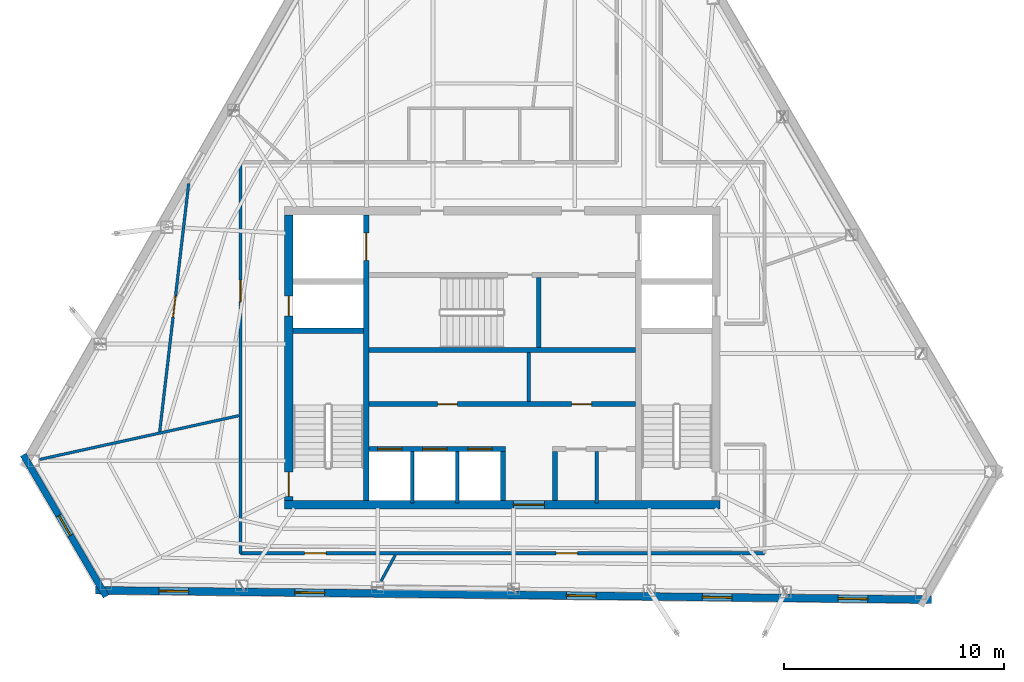
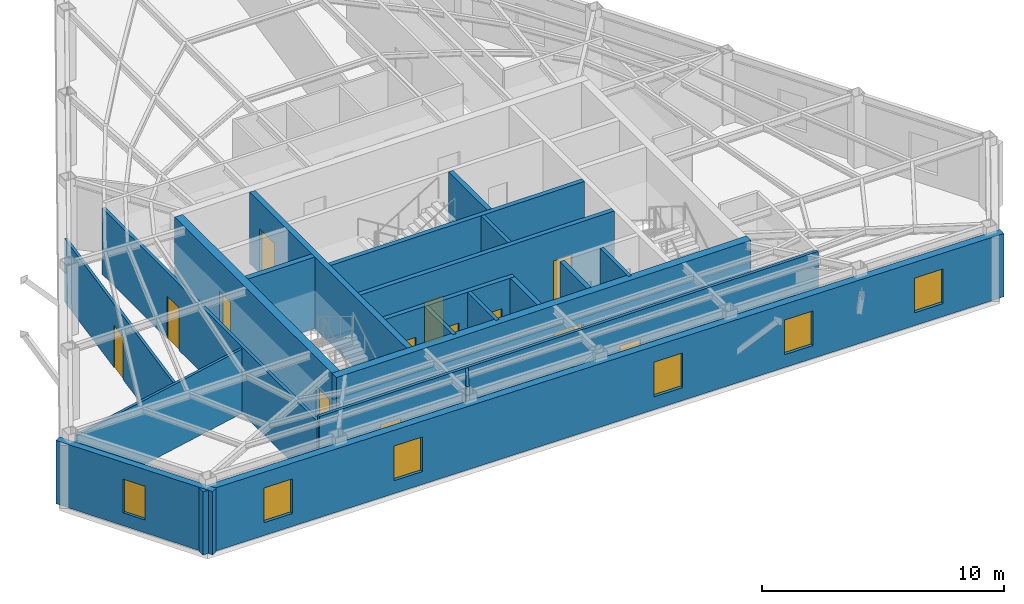
# One storey, part 8 of 11: 21 walls, 13 doors, 6 windows, 19 openings.
"""IFC4 building model written with IfcOpenShell, lengths in metres."""

from ifc_helpers import new_model, si_unit, direction, frame, frame_2d, origin, place, context, subcontext, project, spatial, rectangle, extrude, material, layer, layer_set, type_object, element, fill, save


model = new_model("IFC4")

# Units and contexts
model_context = context("Model", 3, precision=1e-05, world=origin(), true_north=direction((0.0, 1.0)))
body_context = subcontext(model_context, "Body", "Model", "MODEL_VIEW")
ifc_project = project(units=[si_unit("LENGTHUNIT", "METRE"), si_unit("AREAUNIT", "SQUARE_METRE"), si_unit("VOLUMEUNIT", "CUBIC_METRE"), si_unit("PLANEANGLEUNIT", "RADIAN"), si_unit("MASSUNIT", "GRAM", prefix="KILO")], contexts=[model_context])

# Site, building, storey
site_placement = place(None, origin())
site = spatial("IfcSite", under=ifc_project, at=site_placement, CompositionType="ELEMENT")
building_placement = place(site_placement, origin())
building = spatial("IfcBuilding", under=site, at=building_placement, Name="Kavelnor Concourse Tower", CompositionType="ELEMENT")
storey_placement = place(building_placement, frame((0.0, 0.0, 258.75)))
storey = spatial("IfcBuildingStorey", under=building, at=storey_placement, Name="L65", CompositionType="ELEMENT", Elevation=258.75)

# Wall, opening, door
ifc_material_1 = material(Name="Concrete C50/60", Category="concrete")
ifc_layer_1 = layer(ifc_material_1, 0.3798828125, Name="Concrete C50/60")
ifc_layer_set_1 = layer_set([ifc_layer_1], Name="Concrete C50/60")
wall_type_1 = type_object("IfcWallType", Name="WL-CORE-Z4-380", PredefinedType="SOLIDWALL", material=ifc_layer_set_1)
wall_1_placement = place(storey_placement, frame((28.10009765625, 9.409912109375, 0.0), z_axis=(0.0, 0.0, 1.0), x_axis=(1.0, 0.0, 0.0)))
wall_1 = element("IfcWall", 1, at=wall_1_placement, inside=storey, type_object=wall_type_1, Name="L65 Central Core South Shear Wall", PredefinedType="SOLIDWALL", context=body_context, shape_type="SweptSolid", body=[
    extrude(rectangle(XDim=19.7998046875, YDim=0.3798828125, at=frame_2d((9.89990234375, 0.0))), origin(), (0.0, 0.0, 1.0), 3.610107421875),
])
opening_1_placement = place(wall_1_placement, frame((10.39990234375, 0.0, 0.0)))
opening_1 = element("IfcOpeningElement", 2, at=opening_1_placement, cuts=wall_1, Name="Opening SD-140", PredefinedType="OPENING", context=body_context, shape_type="SweptSolid", body=[
    extrude(rectangle(XDim=1.39990234375, YDim=2.199951171875, at=frame_2d((0.699951171875, 1.10009765625))), frame((0.0, 0.199951171875, 0.0), z_axis=(0.0, -1.0, 0.0), x_axis=(1.0, 0.0, 0.0)), (0.0, 0.0, 1.0), 0.39990234375),
])
ifc_material_2 = material(Name="Solid-core hardwood timber", Category="wood")
door_type_1 = type_object("IfcDoorType", Name="DR-SUITE-ENTRY-1400", OperationType="NOTDEFINED", PredefinedType="DOOR", material=ifc_material_2)
door_1_placement = place(opening_1_placement, origin())
door_1 = element("IfcDoor", 3, at=door_1_placement, inside=storey, type_object=door_type_1, Name="L65 Passenger Lift Lobby Entry Door", OperationType="SINGLE_SWING_RIGHT", OverallHeight=2.199951171875, OverallWidth=1.39990234375, PredefinedType="DOOR", context=body_context, shape_type="SweptSolid", body=[
    extrude(rectangle(XDim=1.39990234375, YDim=2.199951171875, at=frame_2d((0.699951171875, 1.10009765625))), frame((0.0, 0.02490234375, 0.0), z_axis=(0.0, -1.0, 0.0), x_axis=(1.0, 0.0, 0.0)), (0.0, 0.0, 1.0), 0.050048828125),
])
fill(opening_1, door_1)

# Wall, openings, doors
wall_2_placement = place(storey_placement, frame((28.2900390625, 9.60009765625, 0.0), z_axis=(0.0, 0.0, 1.0), x_axis=(0.0, 1.0, 0.0)))
wall_2 = element("IfcWall", 4, at=wall_2_placement, inside=storey, type_object=wall_type_1, Name="L65 Central Core West Shear Wall", PredefinedType="SOLIDWALL", context=body_context, shape_type="SweptSolid", body=[
    extrude(rectangle(XDim=13.0, YDim=0.3798828125, at=frame_2d((6.5, 0.0))), origin(), (0.0, 0.0, 1.0), 3.610107421875),
])
opening_2_placement = place(wall_2_placement, frame((0.199951171875, 0.0, 0.0)))
opening_2 = element("IfcOpeningElement", 5, at=opening_2_placement, cuts=wall_2, Name="Opening FD-110", PredefinedType="OPENING", context=body_context, shape_type="SweptSolid", body=[
    extrude(rectangle(XDim=1.10009765625, YDim=2.14990234375, at=frame_2d((0.550048828125, 1.074951171875))), frame((0.0, 0.199951171875, 0.0), z_axis=(0.0, -1.0, 0.0), x_axis=(1.0, 0.0, 0.0)), (0.0, 0.0, 1.0), 0.39990234375),
])
opening_3_placement = place(wall_2_placement, frame((8.39990234375, 0.0, 0.0)))
opening_3 = element("IfcOpeningElement", 6, at=opening_3_placement, cuts=wall_2, Name="Opening FD-090", PredefinedType="OPENING", context=body_context, shape_type="SweptSolid", body=[
    extrude(rectangle(XDim=0.89990234375, YDim=2.10009765625, at=frame_2d((0.449951171875, 1.050048828125))), frame((0.0, 0.199951171875, 0.0), z_axis=(0.0, -1.0, 0.0), x_axis=(1.0, 0.0, 0.0)), (0.0, 0.0, 1.0), 0.39990234375),
])
ifc_material_3 = material(Name="Steel Grade 350", Category="steel")
door_type_2 = type_object("IfcDoorType", Name="DR-RISER-FIRE-900", OperationType="NOTDEFINED", PredefinedType="DOOR", material=ifc_material_3)
door_2_placement = place(opening_3_placement, origin())
door_2 = element("IfcDoor", 7, at=door_2_placement, inside=storey, type_object=door_type_2, Name="L65 West Riser Access Door", OperationType="SINGLE_SWING_RIGHT", OverallHeight=2.10009765625, OverallWidth=0.89990234375, PredefinedType="DOOR", context=body_context, shape_type="SweptSolid", body=[
    extrude(rectangle(XDim=0.89990234375, YDim=2.10009765625, at=frame_2d((0.449951171875, 1.050048828125))), frame((0.0, 0.02490234375, 0.0), z_axis=(0.0, -1.0, 0.0), x_axis=(1.0, 0.0, 0.0)), (0.0, 0.0, 1.0), 0.050048828125),
])
fill(opening_3, door_2)
door_type_3 = type_object("IfcDoorType", Name="DR-STAIR-FIRE-1100", OperationType="NOTDEFINED", PredefinedType="DOOR", material=ifc_material_3)
door_3_placement = place(opening_2_placement, origin())
door_3 = element("IfcDoor", 8, at=door_3_placement, inside=storey, type_object=door_type_3, Name="L65 Stair ST1 Fire Door", OperationType="SINGLE_SWING_LEFT", OverallHeight=2.14990234375, OverallWidth=1.10009765625, PredefinedType="DOOR", context=body_context, shape_type="SweptSolid", body=[
    extrude(rectangle(XDim=1.10009765625, YDim=2.14990234375, at=frame_2d((0.550048828125, 1.074951171875))), frame((0.0, 0.02490234375, 0.0), z_axis=(0.0, -1.0, 0.0), x_axis=(1.0, 0.0, 0.0)), (0.0, 0.0, 1.0), 0.050048828125),
])
fill(opening_2, door_3)

# Wall, opening, window
ifc_material_4 = material(Name="Buff ironspot clay face brick masonry", Category="masonry")
ifc_layer_2 = layer(ifc_material_4, 0.300048828125, Name="Buff ironspot clay face brick masonry")
ifc_layer_set_2 = layer_set([ifc_layer_2], Name="Buff ironspot clay face brick masonry")
wall_type_2 = type_object("IfcWallType", Name="WL-EXT-BUFF-BRICK-FOLD-300", PredefinedType="STANDARD", material=ifc_layer_set_2)
wall_3_placement = place(storey_placement, frame((19.97900390625, 5.248291015625, 0.0), z_axis=(0.0, 0.0, 1.0), x_axis=(-0.50480008765, 0.863236277915, 0.0)))
wall_3 = element("IfcWall", 9, at=wall_3_placement, inside=storey, type_object=wall_type_2, Name="L65 Exterior Brick Facade Wall E2", PredefinedType="STANDARD", context=body_context, shape_type="SweptSolid", body=[
    extrude(rectangle(XDim=7.46435546875, YDim=0.300048828125, at=frame_2d((3.732177734375, 0.0))), origin(), (0.0, 0.0, 1.0), 3.196044921875),
])
opening_4_placement = place(wall_3_placement, frame((3.20703125, 0.0, 0.64990234375)))
opening_4 = element("IfcOpeningElement", 10, at=opening_4_placement, cuts=wall_3, Name="Opening W-06", PredefinedType="OPENING", context=body_context, shape_type="SweptSolid", body=[
    extrude(rectangle(XDim=1.050048828125, YDim=1.699951171875, at=frame_2d((0.52490234375, 0.85009765625))), frame((0.0, 0.16015625, 0.0), z_axis=(0.0, -1.0, 0.0), x_axis=(1.0, 0.0, 0.0)), (0.0, 0.0, 1.0), 0.320068359375),
])
ifc_material_5 = material(Name="Double low-E argon insulated glazing", Category="glass")
window_type_1 = type_object("IfcWindowType", Name="WIN-FOLD-1050", PartitioningType="SINGLE_PANEL", PredefinedType="WINDOW", material=ifc_material_5)
window_1_placement = place(opening_4_placement, origin())
window_1 = element("IfcWindow", 11, at=window_1_placement, inside=storey, type_object=window_type_1, Name="L65 Chamfer-Fold Facet Window C1", OverallHeight=1.699951171875, OverallWidth=1.050048828125, PartitioningType="SINGLE_PANEL", PredefinedType="WINDOW", context=body_context, shape_type="SweptSolid", body=[
    extrude(rectangle(XDim=1.050048828125, YDim=1.699951171875, at=frame_2d((0.52490234375, 0.85009765625))), frame((0.0, 0.030029296875, 0.0), z_axis=(0.0, -1.0, 0.0), x_axis=(1.0, 0.0, 0.0)), (0.0, 0.0, 1.0), 0.06005859375),
])
fill(opening_4, window_1)

# Wall, openings, windows
ifc_material_6 = material(Name="Red-ochre clay face brick masonry", Category="masonry")
ifc_layer_3 = layer(ifc_material_6, 0.35009765625, Name="Red-ochre clay face brick masonry")
ifc_layer_set_3 = layer_set([ifc_layer_3], Name="Red-ochre clay face brick masonry")
wall_type_3 = type_object("IfcWallType", Name="WL-EXT-RED-BRICK-PIER-350", PredefinedType="STANDARD", material=ifc_layer_set_3)
wall_4_placement = place(storey_placement, frame((57.506103515625, 5.1015625, 0.0), z_axis=(0.0, 0.0, 1.0), x_axis=(-0.999937327785, 0.011195557226, 0.0)))
wall_4 = element("IfcWall", 12, at=wall_4_placement, inside=storey, type_object=wall_type_3, Name="L65 Exterior Brick Facade Wall E3", PredefinedType="STANDARD", context=body_context, shape_type="SweptSolid", body=[
    extrude(rectangle(XDim=38.009521484375, YDim=0.35009765625, at=frame_2d((19.0048828125, 0.0))), origin(), (0.0, 0.0, 1.0), 3.196044921875),
])
opening_5_placement = place(wall_4_placement, frame((33.774658203125, 0.0, 0.64990234375)))
opening_5 = element("IfcOpeningElement", 13, at=opening_5_placement, cuts=wall_4, Name="Opening W-04", PredefinedType="OPENING", context=body_context, shape_type="SweptSolid", body=[
    extrude(rectangle(XDim=1.35009765625, YDim=1.75, at=frame_2d((0.675048828125, 0.875))), frame((0.0, 0.18505859375, 0.0), z_axis=(0.0, -1.0, 0.0), x_axis=(1.0, 0.0, 0.0)), (0.0, 0.0, 1.0), 0.3701171875),
])
opening_6_placement = place(wall_4_placement, frame((27.598876953125, 0.0, 0.64990234375)))
opening_6 = element("IfcOpeningElement", 14, at=opening_6_placement, cuts=wall_4, Name="Opening W-04", PredefinedType="OPENING", context=body_context, shape_type="SweptSolid", body=[
    extrude(rectangle(XDim=1.35009765625, YDim=1.75, at=frame_2d((0.675048828125, 0.875))), frame((0.0, 0.18505859375, 0.0), z_axis=(0.0, -1.0, 0.0), x_axis=(1.0, 0.0, 0.0)), (0.0, 0.0, 1.0), 0.3701171875),
])
opening_7_placement = place(wall_4_placement, frame((15.247314453125, 0.0, 0.64990234375)))
opening_7 = element("IfcOpeningElement", 15, at=opening_7_placement, cuts=wall_4, Name="Opening W-04", PredefinedType="OPENING", context=body_context, shape_type="SweptSolid", body=[
    extrude(rectangle(XDim=1.35009765625, YDim=1.75, at=frame_2d((0.675048828125, 0.875))), frame((0.0, 0.18505859375, 0.0), z_axis=(0.0, -1.0, 0.0), x_axis=(1.0, 0.0, 0.0)), (0.0, 0.0, 1.0), 0.3701171875),
])
opening_8_placement = place(wall_4_placement, frame((9.0712890625, 0.0, 0.64990234375)))
opening_8 = element("IfcOpeningElement", 16, at=opening_8_placement, cuts=wall_4, Name="Opening W-04", PredefinedType="OPENING", context=body_context, shape_type="SweptSolid", body=[
    extrude(rectangle(XDim=1.35009765625, YDim=1.75, at=frame_2d((0.675048828125, 0.875))), frame((0.0, 0.18505859375, 0.0), z_axis=(0.0, -1.0, 0.0), x_axis=(1.0, 0.0, 0.0)), (0.0, 0.0, 1.0), 0.3701171875),
])
opening_9_placement = place(wall_4_placement, frame((2.8955078125, 0.0, 0.64990234375)))
opening_9 = element("IfcOpeningElement", 17, at=opening_9_placement, cuts=wall_4, Name="Opening W-04", PredefinedType="OPENING", context=body_context, shape_type="SweptSolid", body=[
    extrude(rectangle(XDim=1.35009765625, YDim=1.75, at=frame_2d((0.675048828125, 0.875))), frame((0.0, 0.18505859375, 0.0), z_axis=(0.0, -1.0, 0.0), x_axis=(1.0, 0.0, 0.0)), (0.0, 0.0, 1.0), 0.3701171875),
])
window_type_2 = type_object("IfcWindowType", Name="WIN-PIER-Z4-1350", PartitioningType="SINGLE_PANEL", PredefinedType="WINDOW", material=ifc_material_5)
window_2_placement = place(opening_5_placement, origin())
window_2 = element("IfcWindow", 18, at=window_2_placement, inside=storey, type_object=window_type_2, Name="L65 Deep-Set Brick Pier Window F1-B0", OverallHeight=1.75, OverallWidth=1.35009765625, PartitioningType="SINGLE_PANEL", PredefinedType="WINDOW", context=body_context, shape_type="SweptSolid", body=[
    extrude(rectangle(XDim=1.35009765625, YDim=1.75, at=frame_2d((0.675048828125, 0.875))), frame((0.0, 0.030029296875, 0.0), z_axis=(0.0, -1.0, 0.0), x_axis=(1.0, 0.0, 0.0)), (0.0, 0.0, 1.0), 0.06005859375),
])
fill(opening_5, window_2)
window_3_placement = place(opening_6_placement, origin())
window_3 = element("IfcWindow", 19, at=window_3_placement, inside=storey, type_object=window_type_2, Name="L65 Deep-Set Brick Pier Window F1-B1", OverallHeight=1.75, OverallWidth=1.35009765625, PartitioningType="SINGLE_PANEL", PredefinedType="WINDOW", context=body_context, shape_type="SweptSolid", body=[
    extrude(rectangle(XDim=1.35009765625, YDim=1.75, at=frame_2d((0.675048828125, 0.875))), frame((0.0, 0.030029296875, 0.0), z_axis=(0.0, -1.0, 0.0), x_axis=(1.0, 0.0, 0.0)), (0.0, 0.0, 1.0), 0.06005859375),
])
fill(opening_6, window_3)
window_4_placement = place(opening_7_placement, origin())
window_4 = element("IfcWindow", 20, at=window_4_placement, inside=storey, type_object=window_type_2, Name="L65 Deep-Set Brick Pier Window F1-B3", OverallHeight=1.75, OverallWidth=1.35009765625, PartitioningType="SINGLE_PANEL", PredefinedType="WINDOW", context=body_context, shape_type="SweptSolid", body=[
    extrude(rectangle(XDim=1.35009765625, YDim=1.75, at=frame_2d((0.675048828125, 0.875))), frame((0.0, 0.030029296875, 0.0), z_axis=(0.0, -1.0, 0.0), x_axis=(1.0, 0.0, 0.0)), (0.0, 0.0, 1.0), 0.06005859375),
])
fill(opening_7, window_4)
window_5_placement = place(opening_8_placement, origin())
window_5 = element("IfcWindow", 21, at=window_5_placement, inside=storey, type_object=window_type_2, Name="L65 Deep-Set Brick Pier Window F1-B4", OverallHeight=1.75, OverallWidth=1.35009765625, PartitioningType="SINGLE_PANEL", PredefinedType="WINDOW", context=body_context, shape_type="SweptSolid", body=[
    extrude(rectangle(XDim=1.35009765625, YDim=1.75, at=frame_2d((0.675048828125, 0.875))), frame((0.0, 0.030029296875, 0.0), z_axis=(0.0, -1.0, 0.0), x_axis=(1.0, 0.0, 0.0)), (0.0, 0.0, 1.0), 0.06005859375),
])
fill(opening_8, window_5)
window_6_placement = place(opening_9_placement, origin())
window_6 = element("IfcWindow", 22, at=window_6_placement, inside=storey, type_object=window_type_2, Name="L65 Deep-Set Brick Pier Window F1-B5", OverallHeight=1.75, OverallWidth=1.35009765625, PartitioningType="SINGLE_PANEL", PredefinedType="WINDOW", context=body_context, shape_type="SweptSolid", body=[
    extrude(rectangle(XDim=1.35009765625, YDim=1.75, at=frame_2d((0.675048828125, 0.875))), frame((0.0, 0.030029296875, 0.0), z_axis=(0.0, -1.0, 0.0), x_axis=(1.0, 0.0, 0.0)), (0.0, 0.0, 1.0), 0.06005859375),
])
fill(opening_9, window_6)

# Wall, openings, doors
ifc_material_7 = material(Name="Gypsum plasterboard on light-gauge steel studs", Category="steel")
ifc_layer_4 = layer(ifc_material_7, 0.14501953125, Name="Gypsum plasterboard on light-gauge steel studs")
ifc_layer_set_4 = layer_set([ifc_layer_4], Name="Gypsum plasterboard on light-gauge steel studs")
wall_type_4 = type_object("IfcWallType", Name="WL-INT-CORR-145", PredefinedType="PARTITIONING", material=ifc_layer_set_4)
wall_5_placement = place(storey_placement, frame((49.909912109375, 7.2099609375, 0.0), z_axis=(0.0, 0.0, 1.0), x_axis=(-1.0, 0.0, 0.0)))
wall_5 = element("IfcWall", 23, at=wall_5_placement, inside=storey, type_object=wall_type_4, Name="L65 Corridor Wall WL-L65-CR-09", PredefinedType="PARTITIONING", context=body_context, shape_type="SweptSolid", body=[
    extrude(rectangle(XDim=23.81982421875, YDim=0.14501953125, at=frame_2d((11.909912109375, 0.0))), origin(), (0.0, 0.0, 1.0), 3.610107421875),
])
opening_10_placement = place(wall_5_placement, frame((19.927734375, 0.0, 0.0)))
opening_10 = element("IfcOpeningElement", 24, at=opening_10_placement, cuts=wall_5, Name="Opening OD-098", PredefinedType="OPENING", context=body_context, shape_type="SweptSolid", body=[
    extrude(rectangle(XDim=0.97998046875, YDim=2.14990234375, at=frame_2d((0.489990234375, 1.074951171875))), frame((0.0, 0.08251953125, 0.0), z_axis=(0.0, -1.0, 0.0), x_axis=(1.0, 0.0, 0.0)), (0.0, 0.0, 1.0), 0.1650390625),
])
opening_11_placement = place(wall_5_placement, frame((8.487060546875, 0.0, 0.0)))
opening_11 = element("IfcOpeningElement", 25, at=opening_11_placement, cuts=wall_5, Name="Opening OD-098", PredefinedType="OPENING", context=body_context, shape_type="SweptSolid", body=[
    extrude(rectangle(XDim=0.97998046875, YDim=2.14990234375, at=frame_2d((0.489990234375, 1.074951171875))), frame((0.0, 0.08251953125, 0.0), z_axis=(0.0, -1.0, 0.0), x_axis=(1.0, 0.0, 0.0)), (0.0, 0.0, 1.0), 0.1650390625),
])
door_type_4 = type_object("IfcDoorType", Name="DR-OFFICE-980", OperationType="NOTDEFINED", PredefinedType="DOOR", material=ifc_material_2)
door_4_placement = place(opening_10_placement, origin())
door_4 = element("IfcDoor", 26, at=door_4_placement, inside=storey, type_object=door_type_4, Name="L65 Staff Breakout Pantry 05 Door", OperationType="SINGLE_SWING_LEFT", OverallHeight=2.14990234375, OverallWidth=0.97998046875, PredefinedType="DOOR", context=body_context, shape_type="SweptSolid", body=[
    extrude(rectangle(XDim=0.97998046875, YDim=2.14990234375, at=frame_2d((0.489990234375, 1.074951171875))), frame((0.0, 0.02490234375, 0.0), z_axis=(0.0, -1.0, 0.0), x_axis=(1.0, 0.0, 0.0)), (0.0, 0.0, 1.0), 0.050048828125),
])
fill(opening_10, door_4)
door_5_placement = place(opening_11_placement, origin())
door_5 = element("IfcDoor", 27, at=door_5_placement, inside=storey, type_object=door_type_4, Name="L65 Staff Breakout Pantry 06 Door", OperationType="SINGLE_SWING_RIGHT", OverallHeight=2.14990234375, OverallWidth=0.97998046875, PredefinedType="DOOR", context=body_context, shape_type="SweptSolid", body=[
    extrude(rectangle(XDim=0.97998046875, YDim=2.14990234375, at=frame_2d((0.489990234375, 1.074951171875))), frame((0.0, 0.02490234375, 0.0), z_axis=(0.0, -1.0, 0.0), x_axis=(1.0, 0.0, 0.0)), (0.0, 0.0, 1.0), 0.050048828125),
])
fill(opening_11, door_5)

# Wall, opening, door
wall_6_placement = place(storey_placement, frame((26.090087890625, 7.2099609375, 0.0), z_axis=(0.0, 0.0, 1.0), x_axis=(0.0, 1.0, 0.0)))
wall_6 = element("IfcWall", 28, at=wall_6_placement, inside=storey, type_object=wall_type_4, Name="L65 Corridor Wall WL-L65-CR-10", PredefinedType="PARTITIONING", context=body_context, shape_type="SweptSolid", body=[
    extrude(rectangle(XDim=17.780029296875, YDim=0.14501953125, at=frame_2d((8.89013671875, 0.0))), origin(), (0.0, 0.0, 1.0), 3.34912109375),
])
opening_12_placement = place(wall_6_placement, frame((11.442626953125, 0.0, 0.0)))
opening_12 = element("IfcOpeningElement", 29, at=opening_12_placement, cuts=wall_6, Name="Opening OD-098", PredefinedType="OPENING", context=body_context, shape_type="SweptSolid", body=[
    extrude(rectangle(XDim=0.97998046875, YDim=2.14990234375, at=frame_2d((0.489990234375, 1.074951171875))), frame((0.0, 0.08251953125, 0.0), z_axis=(0.0, -1.0, 0.0), x_axis=(1.0, 0.0, 0.0)), (0.0, 0.0, 1.0), 0.1650390625),
])
door_6_placement = place(opening_12_placement, origin())
door_6 = element("IfcDoor", 30, at=door_6_placement, inside=storey, type_object=door_type_4, Name="L65 Technical Reference Library 03 Door", OperationType="SINGLE_SWING_LEFT", OverallHeight=2.14990234375, OverallWidth=0.97998046875, PredefinedType="DOOR", context=body_context, shape_type="SweptSolid", body=[
    extrude(rectangle(XDim=0.97998046875, YDim=2.14990234375, at=frame_2d((0.489990234375, 1.074951171875))), frame((0.0, 0.02490234375, 0.0), z_axis=(0.0, -1.0, 0.0), x_axis=(1.0, 0.0, 0.0)), (0.0, 0.0, 1.0), 0.050048828125),
])
fill(opening_12, door_6)

# Walls
ifc_layer_5 = layer(ifc_material_7, 0.1650390625, Name="Gypsum plasterboard on light-gauge steel studs")
ifc_layer_set_5 = layer_set([ifc_layer_5], Name="Gypsum plasterboard on light-gauge steel studs")
wall_type_5 = type_object("IfcWallType", Name="WL-INT-FIRE-165", PredefinedType="PARTITIONING", material=ifc_layer_set_5)
for number, where, z_axis, x_axis, name in (
    (31, (33.89990234375, 9.489990234375, 0.0), (0.0, 0.0, 1.0), (0.0, 1.0, 0.0), "L65 Lift Shaft Divider LP7"),
    (32, (35.949951171875, 9.489990234375, 0.0), (0.0, 0.0, 1.0), (0.0, 1.0, 0.0), "L65 Lift Shaft Divider LP8"),
):
    element("IfcWall", number, at=place(storey_placement, frame(where, z_axis=z_axis, x_axis=x_axis)), inside=storey, type_object=wall_type_5, Name=name, PredefinedType="PARTITIONING", context=body_context, shape_type="SweptSolid", body=[
        extrude(rectangle(XDim=2.35009765625, YDim=0.1650390625, at=frame_2d((1.175048828125, 0.0))), origin(), (0.0, 0.0, 1.0), 3.610107421875),
    ])
wall_7_placement = place(storey_placement, frame((39.199951171875, 14.10009765625, 0.0), z_axis=(0.0, 0.0, 1.0), x_axis=(0.0, 1.0, 0.0)))
element("IfcWall", 33, at=wall_7_placement, inside=storey, type_object=wall_type_5, Name="L65 Reclaimed Core Partition C", PredefinedType="PARTITIONING", context=body_context, shape_type="SweptSolid", body=[
    extrude(rectangle(XDim=2.239990234375, YDim=0.1650390625, at=frame_2d((1.1201171875, 0.0))), origin(), (0.0, 0.0, 1.0), 3.610107421875),
])
wall_8_placement = place(storey_placement, frame((42.280029296875, 9.489990234375, 0.0), z_axis=(0.0, 0.0, 1.0), x_axis=(0.0, 1.0, 0.0)))
element("IfcWall", 34, at=wall_8_placement, inside=storey, type_object=wall_type_5, Name="L65 Core Support Divider", PredefinedType="PARTITIONING", context=body_context, shape_type="SweptSolid", body=[
    extrude(rectangle(XDim=2.35009765625, YDim=0.1650390625, at=frame_2d((1.175048828125, 0.0))), origin(), (0.0, 0.0, 1.0), 3.610107421875),
])
ifc_layer_6 = layer(ifc_material_7, 0.125, Name="Gypsum plasterboard on light-gauge steel studs")
ifc_layer_set_6 = layer_set([ifc_layer_6], Name="Gypsum plasterboard on light-gauge steel studs")
wall_type_6 = type_object("IfcWallType", Name="WL-INT-SUITE-125", PredefinedType="PARTITIONING", material=ifc_layer_set_6)
wall_9_placement = place(storey_placement, frame((26.009521484375, 13.465087890625, 0.0), z_axis=(0.0, 0.0, 1.0), x_axis=(-0.976700346334, -0.214607626778, 0.0)))
element("IfcWall", 35, at=wall_9_placement, inside=storey, type_object=wall_type_6, Name="L65 Radial Suite Partition 04", PredefinedType="PARTITIONING", context=body_context, shape_type="SweptSolid", body=[
    extrude(rectangle(XDim=9.272705078125, YDim=0.125, at=frame_2d((4.63623046875, 0.0))), origin(), (0.0, 0.0, 1.0), 3.24609375),
])
wall_10_placement = place(storey_placement, frame((33.126708984375, 7.12939453125, 0.0), z_axis=(0.0, 0.0, 1.0), x_axis=(-0.47743452788, -0.878667327029, 0.0)))
element("IfcWall", 36, at=wall_10_placement, inside=storey, type_object=wall_type_6, Name="L65 Radial Suite Partition 05", PredefinedType="PARTITIONING", context=body_context, shape_type="SweptSolid", body=[
    extrude(rectangle(XDim=1.35205078125, YDim=0.125, at=frame_2d((0.676025390625, 0.0))), origin(), (0.0, 0.0, 1.0), 3.610107421875),
])

# Wall, opening, door
wall_11_placement = place(storey_placement, frame((23.73291015625, 24.027099609375, 0.0), z_axis=(0.0, 0.0, 1.0), x_axis=(-0.116028401935, -0.993245896012, 0.0)))
wall_11 = element("IfcWall", 37, at=wall_11_placement, inside=storey, type_object=wall_type_6, Name="L65 Suite Subdivision Partition 03", PredefinedType="PARTITIONING", context=body_context, shape_type="SweptSolid", body=[
    extrude(rectangle(XDim=11.4150390625, YDim=0.125, at=frame_2d((5.70751953125, 0.0))), origin(), (0.0, 0.0, 1.0), 3.198974609375),
])
opening_13_placement = place(wall_11_placement, frame((5.1416015625, 0.0, 0.0)))
opening_13 = element("IfcOpeningElement", 38, at=opening_13_placement, cuts=wall_11, Name="Opening OD-098", PredefinedType="OPENING", context=body_context, shape_type="SweptSolid", body=[
    extrude(rectangle(XDim=0.97998046875, YDim=2.14990234375, at=frame_2d((0.489990234375, 1.074951171875))), frame((0.0, 0.072509765625, 0.0), z_axis=(0.0, -1.0, 0.0), x_axis=(1.0, 0.0, 0.0)), (0.0, 0.0, 1.0), 0.14501953125),
])
door_7_placement = place(opening_13_placement, origin())
door_7 = element("IfcDoor", 39, at=door_7_placement, inside=storey, type_object=door_type_4, Name="L65 Staff Breakout Pantry 04 Door", OperationType="SINGLE_SWING_RIGHT", OverallHeight=2.14990234375, OverallWidth=0.97998046875, PredefinedType="DOOR", context=body_context, shape_type="SweptSolid", body=[
    extrude(rectangle(XDim=0.97998046875, YDim=2.14990234375, at=frame_2d((0.489990234375, 1.074951171875))), frame((0.0, 0.02490234375, 0.0), z_axis=(0.0, -1.0, 0.0), x_axis=(1.0, 0.0, 0.0)), (0.0, 0.0, 1.0), 0.050048828125),
])
fill(opening_13, door_7)

# Walls
ifc_layer_7 = layer(ifc_material_1, 0.219970703125, Name="Concrete C50/60")
ifc_layer_set_7 = layer_set([ifc_layer_7], Name="Concrete C50/60")
wall_type_7 = type_object("IfcWallType", Name="WL-SHAFT-220", PredefinedType="SOLIDWALL", material=ifc_layer_set_7)
wall_12_placement = place(storey_placement, frame((31.93994140625, 16.449951171875, 0.0), z_axis=(0.0, 0.0, 1.0), x_axis=(1.0, 0.0, 0.0)))
element("IfcWall", 40, at=wall_12_placement, inside=storey, type_object=wall_type_7, Name="L65 Stair ST3 South Core Wall", PredefinedType="SOLIDWALL", context=body_context, shape_type="SweptSolid", body=[
    extrude(rectangle(XDim=12.1201171875, YDim=0.219970703125, at=frame_2d((6.06005859375, 0.0))), origin(), (0.0, 0.0, 1.0), 3.610107421875),
])
wall_13_placement = place(storey_placement, frame((39.64990234375, 16.56005859375, 0.0), z_axis=(0.0, 0.0, 1.0), x_axis=(0.0, 1.0, 0.0)))
element("IfcWall", 41, at=wall_13_placement, inside=storey, type_object=wall_type_7, Name="L65 Stair ST3 East Core Wall", PredefinedType="SOLIDWALL", context=body_context, shape_type="SweptSolid", body=[
    extrude(rectangle(XDim=3.199951171875, YDim=0.219970703125, at=frame_2d((1.60009765625, 0.0))), origin(), (0.0, 0.0, 1.0), 3.610107421875),
])

# Wall, openings, doors
wall_14_placement = place(storey_placement, frame((31.93994140625, 13.989990234375, 0.0), z_axis=(0.0, 0.0, 1.0), x_axis=(1.0, 0.0, 0.0)))
wall_14 = element("IfcWall", 42, at=wall_14_placement, inside=storey, type_object=wall_type_7, Name="L65 North Lift Row Shaft Wall", PredefinedType="SOLIDWALL", context=body_context, shape_type="SweptSolid", body=[
    extrude(rectangle(XDim=12.1201171875, YDim=0.219970703125, at=frame_2d((6.06005859375, 0.0))), origin(), (0.0, 0.0, 1.0), 3.610107421875),
])
opening_14_placement = place(wall_14_placement, frame((3.110107421875, 0.0, 0.0)))
opening_14 = element("IfcOpeningElement", 43, at=opening_14_placement, cuts=wall_14, Name="Opening FD-090", PredefinedType="OPENING", context=body_context, shape_type="SweptSolid", body=[
    extrude(rectangle(XDim=0.89990234375, YDim=2.10009765625, at=frame_2d((0.449951171875, 1.050048828125))), frame((0.0, 0.1201171875, 0.0), z_axis=(0.0, -1.0, 0.0), x_axis=(1.0, 0.0, 0.0)), (0.0, 0.0, 1.0), 0.239990234375),
])
opening_15_placement = place(wall_14_placement, frame((9.2099609375, 0.0, 0.0)))
opening_15 = element("IfcOpeningElement", 44, at=opening_15_placement, cuts=wall_14, Name="Opening FD-090", PredefinedType="OPENING", context=body_context, shape_type="SweptSolid", body=[
    extrude(rectangle(XDim=0.89990234375, YDim=2.10009765625, at=frame_2d((0.449951171875, 1.050048828125))), frame((0.0, 0.1201171875, 0.0), z_axis=(0.0, -1.0, 0.0), x_axis=(1.0, 0.0, 0.0)), (0.0, 0.0, 1.0), 0.239990234375),
])
door_8_placement = place(opening_14_placement, origin())
door_8 = element("IfcDoor", 45, at=door_8_placement, inside=storey, type_object=door_type_2, Name="L65 Lounge Pantry Door", OperationType="SINGLE_SWING_LEFT", OverallHeight=2.10009765625, OverallWidth=0.89990234375, PredefinedType="DOOR", context=body_context, shape_type="SweptSolid", body=[
    extrude(rectangle(XDim=0.89990234375, YDim=2.10009765625, at=frame_2d((0.449951171875, 1.050048828125))), frame((0.0, 0.02490234375, 0.0), z_axis=(0.0, -1.0, 0.0), x_axis=(1.0, 0.0, 0.0)), (0.0, 0.0, 1.0), 0.050048828125),
])
fill(opening_14, door_8)
door_9_placement = place(opening_15_placement, origin())
door_9 = element("IfcDoor", 46, at=door_9_placement, inside=storey, type_object=door_type_2, Name="L65 Facilities Store Door", OperationType="SINGLE_SWING_RIGHT", OverallHeight=2.10009765625, OverallWidth=0.89990234375, PredefinedType="DOOR", context=body_context, shape_type="SweptSolid", body=[
    extrude(rectangle(XDim=0.89990234375, YDim=2.10009765625, at=frame_2d((0.449951171875, 1.050048828125))), frame((0.0, 0.02490234375, 0.0), z_axis=(0.0, -1.0, 0.0), x_axis=(1.0, 0.0, 0.0)), (0.0, 0.0, 1.0), 0.050048828125),
])
fill(opening_15, door_9)

wall_15_placement = place(storey_placement, frame((31.93994140625, 11.949951171875, 0.0), z_axis=(0.0, 0.0, 1.0), x_axis=(1.0, 0.0, 0.0)))
wall_15 = element("IfcWall", 47, at=wall_15_placement, inside=storey, type_object=wall_type_7, Name="L65 High-Rise Lift Bank North Wall", PredefinedType="SOLIDWALL", context=body_context, shape_type="SweptSolid", body=[
    extrude(rectangle(XDim=6.18994140625, YDim=0.219970703125, at=frame_2d((3.094970703125, 0.0))), origin(), (0.0, 0.0, 1.0), 3.610107421875),
])
opening_16_placement = place(wall_15_placement, frame((0.385009765625, 0.0, 0.0)))
opening_16 = element("IfcOpeningElement", 48, at=opening_16_placement, cuts=wall_15, Name="Opening LD-110", PredefinedType="OPENING", context=body_context, shape_type="SweptSolid", body=[
    extrude(rectangle(XDim=1.10009765625, YDim=2.199951171875, at=frame_2d((0.550048828125, 1.10009765625))), frame((0.0, 0.1201171875, 0.0), z_axis=(0.0, -1.0, 0.0), x_axis=(1.0, 0.0, 0.0)), (0.0, 0.0, 1.0), 0.239990234375),
])
opening_17_placement = place(wall_15_placement, frame((2.43505859375, 0.0, 0.0)))
opening_17 = element("IfcOpeningElement", 49, at=opening_17_placement, cuts=wall_15, Name="Opening LD-110", PredefinedType="OPENING", context=body_context, shape_type="SweptSolid", body=[
    extrude(rectangle(XDim=1.10009765625, YDim=2.199951171875, at=frame_2d((0.550048828125, 1.10009765625))), frame((0.0, 0.1201171875, 0.0), z_axis=(0.0, -1.0, 0.0), x_axis=(1.0, 0.0, 0.0)), (0.0, 0.0, 1.0), 0.239990234375),
])
opening_18_placement = place(wall_15_placement, frame((4.485107421875, 0.0, 0.0)))
opening_18 = element("IfcOpeningElement", 50, at=opening_18_placement, cuts=wall_15, Name="Opening LD-110", PredefinedType="OPENING", context=body_context, shape_type="SweptSolid", body=[
    extrude(rectangle(XDim=1.10009765625, YDim=2.199951171875, at=frame_2d((0.550048828125, 1.10009765625))), frame((0.0, 0.1201171875, 0.0), z_axis=(0.0, -1.0, 0.0), x_axis=(1.0, 0.0, 0.0)), (0.0, 0.0, 1.0), 0.239990234375),
])
door_type_5 = type_object("IfcDoorType", Name="DR-LIFT-SLIDING-1100", OperationType="NOTDEFINED", PredefinedType="DOOR", material=ifc_material_3)
door_10_placement = place(opening_16_placement, origin())
door_10 = element("IfcDoor", 51, at=door_10_placement, inside=storey, type_object=door_type_5, Name="L65 Lift LP7 Landing Door", OperationType="DOUBLE_DOOR_SLIDING", OverallHeight=2.199951171875, OverallWidth=1.10009765625, PredefinedType="DOOR", context=body_context, shape_type="SweptSolid", body=[
    extrude(rectangle(XDim=1.10009765625, YDim=2.199951171875, at=frame_2d((0.550048828125, 1.10009765625))), frame((0.0, 0.02490234375, 0.0), z_axis=(0.0, -1.0, 0.0), x_axis=(1.0, 0.0, 0.0)), (0.0, 0.0, 1.0), 0.050048828125),
])
fill(opening_16, door_10)
door_11_placement = place(opening_17_placement, origin())
door_11 = element("IfcDoor", 52, at=door_11_placement, inside=storey, type_object=door_type_5, Name="L65 Lift LP8 Landing Door", OperationType="DOUBLE_DOOR_SLIDING", OverallHeight=2.199951171875, OverallWidth=1.10009765625, PredefinedType="DOOR", context=body_context, shape_type="SweptSolid", body=[
    extrude(rectangle(XDim=1.10009765625, YDim=2.199951171875, at=frame_2d((0.550048828125, 1.10009765625))), frame((0.0, 0.02490234375, 0.0), z_axis=(0.0, -1.0, 0.0), x_axis=(1.0, 0.0, 0.0)), (0.0, 0.0, 1.0), 0.050048828125),
])
fill(opening_17, door_11)
door_12_placement = place(opening_18_placement, origin())
door_12 = element("IfcDoor", 53, at=door_12_placement, inside=storey, type_object=door_type_5, Name="L65 Lift LP9 Landing Door", OperationType="DOUBLE_DOOR_SLIDING", OverallHeight=2.199951171875, OverallWidth=1.10009765625, PredefinedType="DOOR", context=body_context, shape_type="SweptSolid", body=[
    extrude(rectangle(XDim=1.10009765625, YDim=2.199951171875, at=frame_2d((0.550048828125, 1.10009765625))), frame((0.0, 0.02490234375, 0.0), z_axis=(0.0, -1.0, 0.0), x_axis=(1.0, 0.0, 0.0)), (0.0, 0.0, 1.0), 0.050048828125),
])
fill(opening_18, door_12)

# Walls
for number, where, z_axis, x_axis, name in (
    (54, (38.02001953125, 9.60009765625, 0.0), (0.0, 0.0, 1.0), (0.0, 1.0, 0.0), "L65 Lift Lobby Throat West Wall"),
    (55, (40.389892578125, 9.60009765625, 0.0), (0.0, 0.0, 1.0), (0.0, 1.0, 0.0), "L65 Lift Lobby Throat East Wall"),
):
    element("IfcWall", number, at=place(storey_placement, frame(where, z_axis=z_axis, x_axis=x_axis)), inside=storey, type_object=wall_type_7, Name=name, PredefinedType="SOLIDWALL", context=body_context, shape_type="SweptSolid", body=[
        extrude(rectangle(XDim=2.239990234375, YDim=0.219970703125, at=frame_2d((1.1201171875, 0.0))), origin(), (0.0, 0.0, 1.0), 3.610107421875),
    ])

# Wall, opening, door
ifc_layer_8 = layer(ifc_material_1, 0.260009765625, Name="Concrete C50/60")
ifc_layer_set_8 = layer_set([ifc_layer_8], Name="Concrete C50/60")
wall_type_8 = type_object("IfcWallType", Name="WL-SHAFT-260", PredefinedType="SHEAR", material=ifc_layer_set_8)
wall_16_placement = place(storey_placement, frame((31.81005859375, 9.60009765625, 0.0), z_axis=(0.0, 0.0, 1.0), x_axis=(0.0, 1.0, 0.0)))
wall_16 = element("IfcWall", 56, at=wall_16_placement, inside=storey, type_object=wall_type_8, Name="L65 Core West Wing Shear Wall", PredefinedType="SHEAR", context=body_context, shape_type="SweptSolid", body=[
    extrude(rectangle(XDim=13.0, YDim=0.260009765625, at=frame_2d((6.5, 0.0))), origin(), (0.0, 0.0, 1.0), 3.610107421875),
])
opening_19_placement = place(wall_16_placement, frame((10.925048828125, 0.0, 0.0)))
opening_19 = element("IfcOpeningElement", 57, at=opening_19_placement, cuts=wall_16, Name="Opening LD-125", PredefinedType="OPENING", context=body_context, shape_type="SweptSolid", body=[
    extrude(rectangle(XDim=1.25, YDim=2.25, at=frame_2d((0.625, 1.125))), frame((0.0, 0.14013671875, 0.0), z_axis=(0.0, -1.0, 0.0), x_axis=(1.0, 0.0, 0.0)), (0.0, 0.0, 1.0), 0.280029296875),
])
door_type_6 = type_object("IfcDoorType", Name="DR-LIFT-SLIDING-1250", OperationType="NOTDEFINED", PredefinedType="DOOR", material=ifc_material_3)
door_13_placement = place(opening_19_placement, origin())
door_13 = element("IfcDoor", 58, at=door_13_placement, inside=storey, type_object=door_type_6, Name="L65 Emergency Lift FL1 Landing Door", OperationType="DOUBLE_DOOR_SLIDING", OverallHeight=2.25, OverallWidth=1.25, PredefinedType="DOOR", context=body_context, shape_type="SweptSolid", body=[
    extrude(rectangle(XDim=1.25, YDim=2.25, at=frame_2d((0.625, 1.125))), frame((0.0, 0.02490234375, 0.0), z_axis=(0.0, -1.0, 0.0), x_axis=(1.0, 0.0, 0.0)), (0.0, 0.0, 1.0), 0.050048828125),
])
fill(opening_19, door_13)

# Wall
wall_17_placement = place(storey_placement, frame((28.47998046875, 17.330078125, 0.0), z_axis=(0.0, 0.0, 1.0), x_axis=(1.0, 0.0, 0.0)))
element("IfcWall", 59, at=wall_17_placement, inside=storey, type_object=wall_type_8, Name="L65 Stair ST1 North Shaft Wall", PredefinedType="SHEAR", context=body_context, shape_type="SweptSolid", body=[
    extrude(rectangle(XDim=3.199951171875, YDim=0.260009765625, at=frame_2d((1.60009765625, 0.0))), origin(), (0.0, 0.0, 1.0), 3.610107421875),
])

save(model, "model.ifc")
